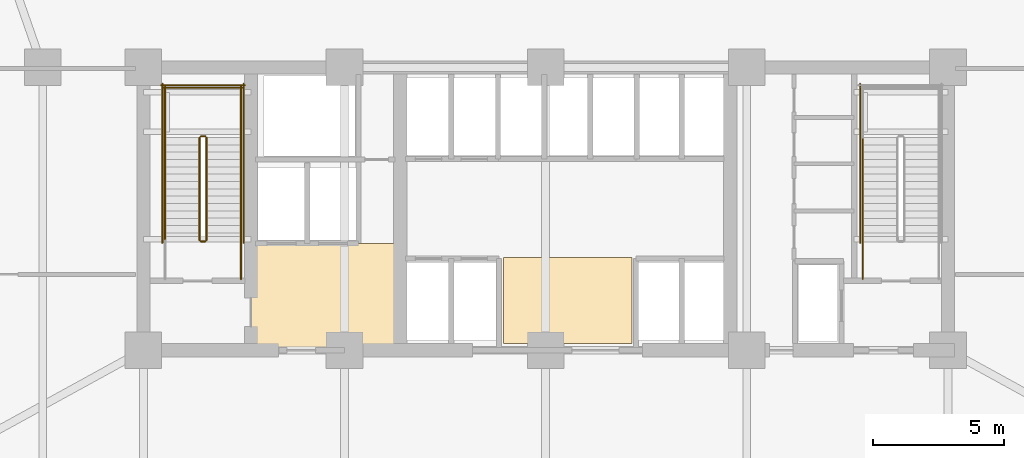
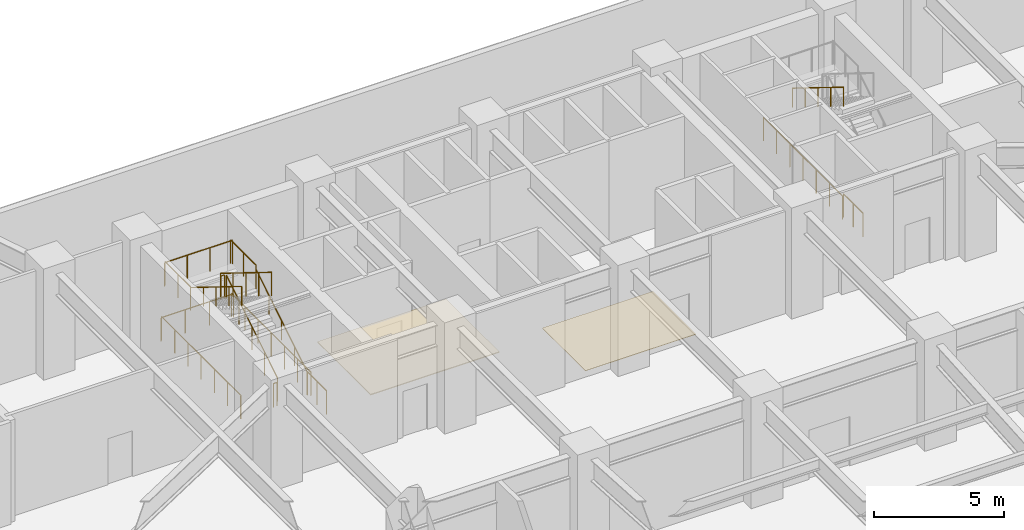
# One storey, part 12 of 15: 16 railings, 2 coverings.
"""IFC4 building model written with IfcOpenShell, lengths in metres."""

import ifcopenshell
import ifcopenshell.guid

model = None  # the IFC model being written
_history = None  # IfcOwnerHistory: only IFC2X3 demands one
_inside = {}  # id of a spatial element -> (the spatial element, [elements in it])
_under = {}  # id of a project, library or spatial element -> (it, [spatial elements below it])
_declared = {}  # id of a project -> (the project, [libraries it declares])
_typed = {}  # id of a type object -> (the type object, [elements of that type])
_made_of = {}  # id of a material, layer set ... -> (it, [elements and type objects made of it])


def new_model(schema):
    """Start an empty IFC model of exactly this schema.

    Asked for "IFC4X3", IfcOpenShell would pick the latest addendum, in which some entities
    have other attributes; the version numbers below select the first issue.
    IFC2X3 requires an IfcOwnerHistory on every rooted entity: one is made here for all.
    """
    global model, _history
    if schema == "IFC4X3":
        model = ifcopenshell.file(schema_version=(4, 3, 0, 0))
    else:
        model = ifcopenshell.file(schema=schema)
    _inside.clear()
    _under.clear()
    _declared.clear()
    _typed.clear()
    _made_of.clear()
    _history = None
    if model.schema == "IFC2X3":
        org = make("IfcOrganization", Name="unknown")
        user = make(
            "IfcPersonAndOrganization",
            ThePerson=make("IfcPerson", FamilyName="unknown"),
            TheOrganization=org,
        )
        app = make(
            "IfcApplication",
            ApplicationDeveloper=org,
            Version="unknown",
            ApplicationFullName="unknown",
            ApplicationIdentifier="unknown",
        )
        _history = make(
            "IfcOwnerHistory",
            OwningUser=user,
            OwningApplication=app,
            ChangeAction="ADDED",
            CreationDate=0,
        )
    return model


def make(cls, **values):
    """One entity of the class cls with the attributes given. An attribute that is None is left unset."""
    return model.create_entity(
        cls, **{name: value for name, value in values.items() if value is not None}
    )


def rooted(cls, **values):
    """An entity with a GlobalId (a new one), such as an element, a storey or a relation."""
    return make(cls, GlobalId=ifcopenshell.guid.new(), OwnerHistory=_history, **values)


def si_unit(unit_type, name, prefix=None):
    """IfcSIUnit, for example si_unit("LENGTHUNIT", "METRE", prefix="MILLI")."""
    return make("IfcSIUnit", UnitType=unit_type, Prefix=prefix, Name=name)


def assignment(units):
    """IfcUnitAssignment: the units of a project."""
    return None if units is None else make("IfcUnitAssignment", Units=units)


def point(xyz):
    """IfcCartesianPoint."""
    return None if xyz is None else make("IfcCartesianPoint", Coordinates=xyz)


def direction(xyz):
    """IfcDirection."""
    return None if xyz is None else make("IfcDirection", DirectionRatios=xyz)


def frame(location, z_axis=None, x_axis=None):
    """IfcAxis2Placement3D, a coordinate frame: its origin and axes. An axis left out is left unset."""
    return make(
        "IfcAxis2Placement3D",
        Location=point(location),
        Axis=direction(z_axis),
        RefDirection=direction(x_axis),
    )


def frame_2d(location, x_axis=None):
    """IfcAxis2Placement2D, a coordinate frame in the plane: its origin and x axis."""
    return make(
        "IfcAxis2Placement2D", Location=point(location), RefDirection=direction(x_axis)
    )


def origin():
    """The frame at (0, 0, 0) with its axes left unset."""
    return frame((0.0, 0.0, 0.0))


def origin_2d():
    """The frame at (0, 0) in the plane with its x axis left unset."""
    return frame_2d((0.0, 0.0))


def place(relative_to, where):
    """IfcLocalPlacement: puts the frame where relative to a parent placement (None: the world)."""
    return make(
        "IfcLocalPlacement", PlacementRelTo=relative_to, RelativePlacement=where
    )


def context(
    kind, dimensions, precision=None, world=None, true_north=None, identifier=None
):
    """IfcGeometricRepresentationContext, for example the 3D "Model" context."""
    return make(
        "IfcGeometricRepresentationContext",
        ContextIdentifier=identifier,
        ContextType=kind,
        CoordinateSpaceDimension=dimensions,
        Precision=precision,
        WorldCoordinateSystem=world,
        TrueNorth=true_north,
    )


def subcontext(parent, identifier, kind, view, scale=None):
    """IfcGeometricRepresentationSubContext, for example "Body" below "Model"."""
    return make(
        "IfcGeometricRepresentationSubContext",
        ContextIdentifier=identifier,
        ContextType=kind,
        ParentContext=parent,
        TargetScale=scale,
        TargetView=view,
    )


def project(units=None, contexts=None):
    """IfcProject with its units and contexts."""
    return rooted(
        "IfcProject",
        Name="project",
        RepresentationContexts=contexts,
        UnitsInContext=assignment(units),
    )


def spatial(cls, under=None, at=None, **own):
    """A site, building, storey or space (cls), placed at a placement, below another one or the project."""
    s = rooted(cls, ObjectPlacement=at, **own)
    if under is not None:
        _under.setdefault(under.id(), (under, []))[1].append(s)
    return s


def polyline(points):
    """IfcPolyline through the points."""
    return make("IfcPolyline", Points=[point(p) for p in points])


def profile(cls, at=None, kind="AREA", **sizes):
    """A parametric profile (cls). Its sizes go by their IFC names, for example OverallWidth=200.0."""
    return make(cls, ProfileType=kind, Position=at, **sizes)


def circle(**sizes):
    """IfcCircleProfileDef."""
    return profile("IfcCircleProfileDef", **sizes)


def outline(outer, holes=None, kind="AREA"):
    """IfcArbitraryClosedProfileDef: a profile drawn as a closed curve; with holes, ...WithVoids."""
    if holes is None:
        return make("IfcArbitraryClosedProfileDef", ProfileType=kind, OuterCurve=outer)
    return make(
        "IfcArbitraryProfileDefWithVoids",
        ProfileType=kind,
        OuterCurve=outer,
        InnerCurves=holes,
    )


def extrude(swept, where, along, depth):
    """IfcExtrudedAreaSolid: the profile swept, set in the frame where, extruded along a direction by depth."""
    return make(
        "IfcExtrudedAreaSolid",
        SweptArea=swept,
        Position=where,
        ExtrudedDirection=direction(along),
        Depth=depth,
    )


def shape(context_of_items, identifier, shape_type, items):
    """IfcShapeRepresentation: the items that make up one representation, for example the "Body"."""
    return make(
        "IfcShapeRepresentation",
        ContextOfItems=context_of_items,
        RepresentationIdentifier=identifier,
        RepresentationType=shape_type,
        Items=items,
    )


def material(Name=None, Category=None):
    """IfcMaterial."""
    return make("IfcMaterial", Name=Name, Category=Category)


def layer(
    of_material, thickness, ventilated=None, Name=None, Category=None, Priority=None
):
    """IfcMaterialLayer: one layer of a wall or slab, of a material (None: an air gap)."""
    return make(
        "IfcMaterialLayer",
        Material=of_material,
        LayerThickness=thickness,
        IsVentilated=ventilated,
        Name=Name,
        Category=Category,
        Priority=Priority,
    )


def layer_set(layers, Name=None):
    """IfcMaterialLayerSet."""
    return make("IfcMaterialLayerSet", MaterialLayers=layers, LayerSetName=Name)


def made_of(thing, what):
    """Note that an element or type object is made of a material, layer set ...; save() writes the relation."""
    if what is not None:
        _made_of.setdefault(what.id(), (what, []))[1].append(thing)
    return thing


def type_object(cls, material=None, **own):
    """A type object (cls), such as IfcWallType, which elements share."""
    return made_of(rooted(cls, **own), material)


def element(
    cls,
    number,
    at=None,
    inside=None,
    cuts=None,
    type_object=None,
    material=None,
    context=None,
    identifier="Body",
    shape_type=None,
    held_by="IfcProductDefinitionShape",
    body=None,
    shapes=None,
    **own,
):
    """One element of the class cls, such as IfcWall. Its Tag is "e" and its number.

    at: its placement. inside: the storey or other place that contains it. cuts: it is an
    opening in that element (IfcRelVoidsElement). A single representation is given by context,
    identifier, shape_type and body (its items); several are given by shapes. held_by: the class
    of the entity that holds the representations. save() writes the other relations.
    """
    e = rooted(cls, Tag="e%d" % number, ObjectPlacement=at, **own)
    if body is not None:
        shapes = [shape(context, identifier, shape_type, body)]
    if shapes is not None:
        e.Representation = make(held_by, Representations=shapes)
    if inside is not None:
        _inside.setdefault(inside.id(), (inside, []))[1].append(e)
    if cuts is not None:
        rooted(
            "IfcRelVoidsElement", RelatingBuildingElement=cuts, RelatedOpeningElement=e
        )
    if type_object is not None:
        _typed.setdefault(type_object.id(), (type_object, []))[1].append(e)
    return made_of(e, material)


def aggregate(whole, parts):
    """IfcRelAggregates: a whole, such as a stair, and the parts it consists of."""
    return rooted("IfcRelAggregates", RelatingObject=whole, RelatedObjects=parts)


def save(model, path):
    """Write the relations noted so far, then the file.

    IfcRelAggregates (storeys below a building ...), IfcRelContainedInSpatialStructure (elements
    in a storey), IfcRelDefinesByType, IfcRelAssociatesMaterial and IfcRelDeclares: one each for
    every whole, place, type object, material and project.
    """
    for whole, parts in _under.values():
        aggregate(whole, parts)
    for where, things in _inside.values():
        rooted(
            "IfcRelContainedInSpatialStructure",
            RelatedElements=things,
            RelatingStructure=where,
        )
    for kind, things in _typed.values():
        rooted("IfcRelDefinesByType", RelatedObjects=things, RelatingType=kind)
    for what, things in _made_of.values():
        rooted("IfcRelAssociatesMaterial", RelatedObjects=things, RelatingMaterial=what)
    for by, libraries in _declared.values():
        rooted("IfcRelDeclares", RelatingContext=by, RelatedDefinitions=libraries)
    model.write(path)


model = new_model("IFC4")

# Units and contexts
model_context = context("Model", 3, precision=1e-05, world=origin(), true_north=direction((0.0, 1.0)))
body_context = subcontext(model_context, "Body", "Model", "MODEL_VIEW")
ifc_project = project(units=[si_unit("LENGTHUNIT", "METRE"), si_unit("AREAUNIT", "SQUARE_METRE"), si_unit("VOLUMEUNIT", "CUBIC_METRE"), si_unit("PLANEANGLEUNIT", "RADIAN"), si_unit("MASSUNIT", "GRAM", prefix="KILO")], contexts=[model_context])

# Site, building, storey
site_placement = place(None, origin())
site = spatial("IfcSite", under=ifc_project, at=site_placement, CompositionType="ELEMENT")
building_placement = place(site_placement, origin())
building = spatial("IfcBuilding", under=site, at=building_placement, Name="Yelkora Congress Tower", CompositionType="ELEMENT")
storey_placement = place(building_placement, frame((0.0, 0.0, 25.199951171875)))
storey = spatial("IfcBuildingStorey", under=building, at=storey_placement, Name="L05", CompositionType="ELEMENT", Elevation=25.199951171875)

# Coverings
ifc_material_1 = material(Name="Perforated mineral-fibre acoustic ceiling", Category="gypsum")
ifc_layer_1 = layer(ifc_material_1, 0.0400390625)
ifc_layer_set_1 = layer_set([ifc_layer_1], Name="Perforated mineral-fibre acoustic ceiling")
covering_type_1 = type_object("IfcCoveringType", Name="COV-CEIL-ACOUSTIC-40", PredefinedType="CEILING", material=ifc_layer_set_1)
covering_1_placement = place(storey_placement, frame((0.0, 0.0, 2.400146484375)))
element("IfcCovering", 1, at=covering_1_placement, inside=storey, type_object=covering_type_1, Name="L05 Firefighting Lobby Acoustic Ceiling", PredefinedType="CEILING", context=body_context, shape_type="SweptSolid", body=[
    extrude(outline(polyline([(27.14990234375, 35.39990234375), (32.85009765625, 35.39990234375), (32.85009765625, 39.47998046875), (27.14990234375, 39.47998046875), (27.14990234375, 35.39990234375)])), origin(), (0.0, 0.0, 1.0), 0.039794921875),
])
ifc_material_2 = material(Name="Polished Anatolian grey granite tile", Category="masonry")
ifc_layer_2 = layer(ifc_material_2, 0.02001953125)
ifc_layer_set_2 = layer_set([ifc_layer_2], Name="Polished Anatolian grey granite tile")
covering_type_2 = type_object("IfcCoveringType", Name="COV-FLOOR-GRANITE-20", PredefinedType="FLOORING", material=ifc_layer_set_2)
covering_2_placement = place(storey_placement, origin())
element("IfcCovering", 2, at=covering_2_placement, inside=storey, type_object=covering_type_2, Name="L05 Lift Lobby Granite Flooring", PredefinedType="FLOORING", context=body_context, shape_type="SweptSolid", body=[
    extrude(outline(polyline([(36.800048828125, 35.64990234375), (41.699951171875, 35.64990234375), (41.699951171875, 38.949951171875), (36.800048828125, 38.949951171875), (36.800048828125, 35.64990234375)])), origin(), (0.0, 0.0, 1.0), 0.02001953125),
])

# Railings
ifc_material_3 = material(Name="Painted galvanised steel stair well guard with vertical infill", Category="steel")
ifc_layer_3 = layer(ifc_material_3, 0.06005859375)
ifc_layer_set_3 = layer_set([ifc_layer_3], Name="Painted galvanised steel stair well guard with vertical infill")
railing_type_1 = type_object("IfcRailingType", Name="RAIL-STAIR-GUARD-1120", PredefinedType="GUARDRAIL", material=ifc_layer_set_3)
railing_1_placement = place(storey_placement, frame((25.449951171875, 39.60009765625, 0.17333984375)))
element("IfcRailing", 3, at=railing_1_placement, inside=storey, type_object=railing_type_1, Name="ST-01 L05 Stair Well Guardrail 1", PredefinedType="GUARDRAIL", context=body_context, shape_type="SweptSolid", body=[
    extrude(circle(Radius=0.02392578125, at=origin_2d()), frame((0.0, 0.0, 1.09619140625), z_axis=(0.0, 0.850251603719, 0.526376491091), x_axis=(-1.0, 0.0, 0.0)), (0.0, 0.0, 1.0), 4.6103515625),
    extrude(circle(Radius=0.02099609375, at=origin_2d()), origin(), (0.0, 0.0, 1.0), 1.072021484375),
    extrude(circle(Radius=0.02099609375, at=origin_2d()), frame((0.0, 0.97998046875, 0.606689453125)), (0.0, 0.0, 1.0), 1.072021484375),
    extrude(circle(Radius=0.02099609375, at=origin_2d()), frame((0.0, 1.9599609375, 1.21337890625)), (0.0, 0.0, 1.0), 1.072021484375),
    extrude(circle(Radius=0.02099609375, at=origin_2d()), frame((0.0, 2.93994140625, 1.820068359375)), (0.0, 0.0, 1.0), 1.072021484375),
    extrude(circle(Radius=0.02099609375, at=origin_2d()), frame((0.0, 3.919921875, 2.4267578125)), (0.0, 0.0, 1.0), 1.072021484375),
])
railing_2_placement = place(storey_placement, frame((25.39990234375, 43.570068359375, 2.60009765625)))
element("IfcRailing", 4, at=railing_2_placement, inside=storey, type_object=railing_type_1, Name="ST-01 L05 Stair Well Guardrail 2", PredefinedType="GUARDRAIL", context=body_context, shape_type="SweptSolid", body=[
    extrude(circle(Radius=0.02392578125, at=origin_2d()), frame((0.0, 0.0, 1.09619140625), z_axis=(-1.0, 0.0, 0.0), x_axis=(0.0, -1.0, 0.0)), (0.0, 0.0, 1.0), 0.159912109375),
    extrude(circle(Radius=0.02099609375, at=origin_2d()), origin(), (0.0, 0.0, 1.0), 1.072021484375),
    extrude(circle(Radius=0.02099609375, at=origin_2d()), frame((-0.159912109375, 0.0, 0.0)), (0.0, 0.0, 1.0), 1.072021484375),
])
for number, where, name in (
    (5, (26.77001953125, 43.52001953125, 2.60009765625), "ST-01 L05 Stair Well Guardrail 3"),
    (6, (23.8701171875, 43.52001953125, 2.60009765625), "ST-01 L05 Stair Well Guardrail 4"),
):
    element("IfcRailing", number, at=place(storey_placement, frame(where)), inside=storey, type_object=railing_type_1, Name=name, PredefinedType="GUARDRAIL", context=body_context, shape_type="SweptSolid", body=[
        extrude(circle(Radius=0.02392578125, at=origin_2d()), frame((0.0, 0.0, 1.09619140625), z_axis=(0.0, 1.0, 0.0), x_axis=(-1.0, 0.0, 0.0)), (0.0, 0.0, 1.0), 1.949951171875),
        extrude(circle(Radius=0.02099609375, at=origin_2d()), origin(), (0.0, 0.0, 1.0), 1.072021484375),
        extrude(circle(Radius=0.02099609375, at=origin_2d()), frame((0.0, 0.97509765625, 0.0)), (0.0, 0.0, 1.0), 1.072021484375),
        extrude(circle(Radius=0.02099609375, at=origin_2d()), frame((0.0, 1.949951171875, 0.0)), (0.0, 0.0, 1.0), 1.072021484375),
    ])
railing_3_placement = place(storey_placement, frame((26.820068359375, 45.419921875, 2.60009765625)))
element("IfcRailing", 7, at=railing_3_placement, inside=storey, type_object=railing_type_1, Name="ST-01 L05 Stair Well Guardrail 5", PredefinedType="GUARDRAIL", context=body_context, shape_type="SweptSolid", body=[
    extrude(circle(Radius=0.02392578125, at=origin_2d()), frame((0.0, 0.0, 1.09619140625), z_axis=(-1.0, 0.0, 0.0), x_axis=(0.0, -1.0, 0.0)), (0.0, 0.0, 1.0), 3.0),
    extrude(circle(Radius=0.02099609375, at=origin_2d()), origin(), (0.0, 0.0, 1.0), 1.072021484375),
    extrude(circle(Radius=0.02099609375, at=origin_2d()), frame((-1.0, 0.0, 0.0)), (0.0, 0.0, 1.0), 1.072021484375),
    extrude(circle(Radius=0.02099609375, at=origin_2d()), frame((-2.0, 0.0, 0.0)), (0.0, 0.0, 1.0), 1.072021484375),
    extrude(circle(Radius=0.02099609375, at=origin_2d()), frame((-3.0, 0.0, 0.0)), (0.0, 0.0, 1.0), 1.072021484375),
])
railing_4_placement = place(storey_placement, frame((25.18994140625, 43.52001953125, 2.7734375)))
element("IfcRailing", 8, at=railing_4_placement, inside=storey, type_object=railing_type_1, Name="ST-01 L05 Stair Well Guardrail 6", PredefinedType="GUARDRAIL", context=body_context, shape_type="SweptSolid", body=[
    extrude(circle(Radius=0.02392578125, at=origin_2d()), frame((0.0, 0.0, 1.09619140625), z_axis=(0.0, -0.850275303828, 0.526338206574), x_axis=(1.0, 0.0, 0.0)), (0.0, 0.0, 1.0), 4.610107421875),
    extrude(circle(Radius=0.02099609375, at=origin_2d()), origin(), (0.0, 0.0, 1.0), 1.072021484375),
    extrude(circle(Radius=0.02099609375, at=origin_2d()), frame((0.0, -0.97998046875, 0.606689453125)), (0.0, 0.0, 1.0), 1.072021484375),
    extrude(circle(Radius=0.02099609375, at=origin_2d()), frame((0.0, -1.9599609375, 1.21337890625)), (0.0, 0.0, 1.0), 1.072021484375),
    extrude(circle(Radius=0.02099609375, at=origin_2d()), frame((0.0, -2.93994140625, 1.81982421875)), (0.0, 0.0, 1.0), 1.072021484375),
    extrude(circle(Radius=0.02099609375, at=origin_2d()), frame((0.0, -3.919921875, 2.426513671875)), (0.0, 0.0, 1.0), 1.072021484375),
])
railing_5_placement = place(storey_placement, frame((25.39990234375, 39.550048828125, 0.0)))
element("IfcRailing", 9, at=railing_5_placement, inside=storey, type_object=railing_type_1, Name="ST-01 L05 Stair Well Guardrail 7", PredefinedType="GUARDRAIL", context=body_context, shape_type="SweptSolid", body=[
    extrude(circle(Radius=0.02392578125, at=origin_2d()), frame((0.0, 0.0, 1.09619140625), z_axis=(-1.0, 0.0, 0.0), x_axis=(0.0, -1.0, 0.0)), (0.0, 0.0, 1.0), 0.159912109375),
    extrude(circle(Radius=0.02099609375, at=origin_2d()), origin(), (0.0, 0.0, 1.0), 1.072021484375),
    extrude(circle(Radius=0.02099609375, at=origin_2d()), frame((-0.159912109375, 0.0, 0.0)), (0.0, 0.0, 1.0), 1.072021484375),
])
railing_6_placement = place(storey_placement, frame((26.77001953125, 38.1201171875, 0.0)))
element("IfcRailing", 10, at=railing_6_placement, inside=storey, type_object=railing_type_1, Name="ST-01 L05 Stair Well Guardrail 8", PredefinedType="GUARDRAIL", context=body_context, shape_type="SweptSolid", body=[
    extrude(circle(Radius=0.02392578125, at=origin_2d()), frame((0.0, 0.0, 1.09619140625), z_axis=(0.0, 1.0, 0.0), x_axis=(-1.0, 0.0, 0.0)), (0.0, 0.0, 1.0), 1.47998046875),
    extrude(circle(Radius=0.02099609375, at=origin_2d()), origin(), (0.0, 0.0, 1.0), 1.072021484375),
    extrude(circle(Radius=0.02099609375, at=origin_2d()), frame((0.0, 0.739990234375, 0.0)), (0.0, 0.0, 1.0), 1.072021484375),
    extrude(circle(Radius=0.02099609375, at=origin_2d()), frame((0.0, 1.47998046875, 0.0)), (0.0, 0.0, 1.0), 1.072021484375),
])
for number, where, name in (
    (11, (26.8701171875, 39.5, 0.0), "ST-01 L05 Stair Well Guardrail 10"),
    (12, (23.77001953125, 39.5, 0.0), "ST-01 L05 Stair Well Guardrail 11"),
):
    element("IfcRailing", number, at=place(storey_placement, frame(where)), inside=storey, type_object=railing_type_1, Name=name, PredefinedType="GUARDRAIL", context=body_context, shape_type="SweptSolid", body=[
        extrude(circle(Radius=0.02392578125, at=origin_2d()), frame((0.0, 0.0, 1.09619140625), z_axis=(0.0, 1.0, 0.0), x_axis=(-1.0, 0.0, 0.0)), (0.0, 0.0, 1.0), 6.070068359375),
        extrude(circle(Radius=0.02099609375, at=origin_2d()), origin(), (0.0, 0.0, 1.0), 1.072021484375),
        extrude(circle(Radius=0.02099609375, at=origin_2d()), frame((0.0, 1.01171875, 0.0)), (0.0, 0.0, 1.0), 1.072021484375),
        extrude(circle(Radius=0.02099609375, at=origin_2d()), frame((0.0, 2.0234375, 0.0)), (0.0, 0.0, 1.0), 1.072021484375),
        extrude(circle(Radius=0.02099609375, at=origin_2d()), frame((0.0, 3.03515625, 0.0)), (0.0, 0.0, 1.0), 1.072021484375),
        extrude(circle(Radius=0.02099609375, at=origin_2d()), frame((0.0, 4.046630859375, 0.0)), (0.0, 0.0, 1.0), 1.072021484375),
        extrude(circle(Radius=0.02099609375, at=origin_2d()), frame((0.0, 5.058349609375, 0.0)), (0.0, 0.0, 1.0), 1.072021484375),
        extrude(circle(Radius=0.02099609375, at=origin_2d()), frame((0.0, 6.070068359375, 0.0)), (0.0, 0.0, 1.0), 1.072021484375),
    ])
railing_7_placement = place(storey_placement, frame((26.919921875, 45.52001953125, 0.0)))
element("IfcRailing", 13, at=railing_7_placement, inside=storey, type_object=railing_type_1, Name="ST-01 L05 Stair Well Guardrail 12", PredefinedType="GUARDRAIL", context=body_context, shape_type="SweptSolid", body=[
    extrude(circle(Radius=0.02392578125, at=origin_2d()), frame((0.0, 0.0, 1.09619140625), z_axis=(-1.0, 0.0, 0.0), x_axis=(0.0, -1.0, 0.0)), (0.0, 0.0, 1.0), 3.199951171875),
    extrude(circle(Radius=0.02099609375, at=origin_2d()), origin(), (0.0, 0.0, 1.0), 1.072021484375),
    extrude(circle(Radius=0.02099609375, at=origin_2d()), frame((-1.066650390625, 0.0, 0.0)), (0.0, 0.0, 1.0), 1.072021484375),
    extrude(circle(Radius=0.02099609375, at=origin_2d()), frame((-2.13330078125, 0.0, 0.0)), (0.0, 0.0, 1.0), 1.072021484375),
    extrude(circle(Radius=0.02099609375, at=origin_2d()), frame((-3.199951171875, 0.0, 0.0)), (0.0, 0.0, 1.0), 1.072021484375),
])
railing_8_placement = place(storey_placement, frame((50.510009765625, 38.1201171875, 0.0)))
element("IfcRailing", 14, at=railing_8_placement, inside=storey, type_object=railing_type_1, Name="ST-02 L05 Stair Well Guardrail 9", PredefinedType="GUARDRAIL", context=body_context, shape_type="SweptSolid", body=[
    extrude(circle(Radius=0.02392578125, at=origin_2d()), frame((0.0, 0.0, 1.09619140625), z_axis=(0.0, 1.0, 0.0), x_axis=(-1.0, 0.0, 0.0)), (0.0, 0.0, 1.0), 1.47998046875),
    extrude(circle(Radius=0.02099609375, at=origin_2d()), origin(), (0.0, 0.0, 1.0), 1.072021484375),
    extrude(circle(Radius=0.02099609375, at=origin_2d()), frame((0.0, 0.739990234375, 0.0)), (0.0, 0.0, 1.0), 1.072021484375),
    extrude(circle(Radius=0.02099609375, at=origin_2d()), frame((0.0, 1.47998046875, 0.0)), (0.0, 0.0, 1.0), 1.072021484375),
])
railing_9_placement = place(storey_placement, frame((50.409912109375, 39.5, 0.0)))
element("IfcRailing", 15, at=railing_9_placement, inside=storey, type_object=railing_type_1, Name="ST-02 L05 Stair Well Guardrail 11", PredefinedType="GUARDRAIL", context=body_context, shape_type="SweptSolid", body=[
    extrude(circle(Radius=0.02392578125, at=origin_2d()), frame((0.0, 0.0, 1.09619140625), z_axis=(0.0, 1.0, 0.0), x_axis=(-1.0, 0.0, 0.0)), (0.0, 0.0, 1.0), 6.070068359375),
    extrude(circle(Radius=0.02099609375, at=origin_2d()), origin(), (0.0, 0.0, 1.0), 1.072021484375),
    extrude(circle(Radius=0.02099609375, at=origin_2d()), frame((0.0, 1.01171875, 0.0)), (0.0, 0.0, 1.0), 1.072021484375),
    extrude(circle(Radius=0.02099609375, at=origin_2d()), frame((0.0, 2.0234375, 0.0)), (0.0, 0.0, 1.0), 1.072021484375),
    extrude(circle(Radius=0.02099609375, at=origin_2d()), frame((0.0, 3.03515625, 0.0)), (0.0, 0.0, 1.0), 1.072021484375),
    extrude(circle(Radius=0.02099609375, at=origin_2d()), frame((0.0, 4.046630859375, 0.0)), (0.0, 0.0, 1.0), 1.072021484375),
    extrude(circle(Radius=0.02099609375, at=origin_2d()), frame((0.0, 5.058349609375, 0.0)), (0.0, 0.0, 1.0), 1.072021484375),
    extrude(circle(Radius=0.02099609375, at=origin_2d()), frame((0.0, 6.070068359375, 0.0)), (0.0, 0.0, 1.0), 1.072021484375),
])
ifc_material_4 = material(Name="Brushed stainless steel tubular handrail", Category="steel")
ifc_layer_4 = layer(ifc_material_4, 0.050048828125)
ifc_layer_set_4 = layer_set([ifc_layer_4], Name="Brushed stainless steel tubular handrail")
railing_type_2 = type_object("IfcRailingType", Name="RAIL-STAIR-HAND-920", PredefinedType="HANDRAIL", material=ifc_layer_set_4)
railing_10_placement = place(storey_placement, frame((26.77001953125, 39.60009765625, 0.17333984375)))
element("IfcRailing", 16, at=railing_10_placement, inside=storey, type_object=railing_type_2, Name="ST-01 L05 Pitch Handrail 1", PredefinedType="HANDRAIL", context=body_context, shape_type="SweptSolid", body=[
    extrude(circle(Radius=0.02392578125, at=origin_2d()), frame((0.0, 0.0, 0.89599609375), z_axis=(0.0, 0.850251603719, 0.526376491091), x_axis=(-1.0, 0.0, 0.0)), (0.0, 0.0, 1.0), 4.6103515625),
    extrude(circle(Radius=0.02099609375, at=origin_2d()), origin(), (0.0, 0.0, 1.0), 0.871826171875),
    extrude(circle(Radius=0.02099609375, at=origin_2d()), frame((0.0, 0.97998046875, 0.606689453125)), (0.0, 0.0, 1.0), 0.871826171875),
    extrude(circle(Radius=0.02099609375, at=origin_2d()), frame((0.0, 1.9599609375, 1.21337890625)), (0.0, 0.0, 1.0), 0.871826171875),
    extrude(circle(Radius=0.02099609375, at=origin_2d()), frame((0.0, 2.93994140625, 1.820068359375)), (0.0, 0.0, 1.0), 0.871826171875),
    extrude(circle(Radius=0.02099609375, at=origin_2d()), frame((0.0, 3.919921875, 2.4267578125)), (0.0, 0.0, 1.0), 0.871826171875),
])
for number, where, name in (
    (17, (23.8701171875, 43.52001953125, 2.7734375), "ST-01 L05 Pitch Handrail 2"),
    (18, (50.510009765625, 43.52001953125, 2.7734375), "ST-02 L05 Pitch Handrail 2"),
):
    element("IfcRailing", number, at=place(storey_placement, frame(where)), inside=storey, type_object=railing_type_2, Name=name, PredefinedType="HANDRAIL", context=body_context, shape_type="SweptSolid", body=[
        extrude(circle(Radius=0.02392578125, at=origin_2d()), frame((0.0, 0.0, 0.89599609375), z_axis=(0.0, -0.850275303828, 0.526338206574), x_axis=(1.0, 0.0, 0.0)), (0.0, 0.0, 1.0), 4.610107421875),
        extrude(circle(Radius=0.02099609375, at=origin_2d()), origin(), (0.0, 0.0, 1.0), 0.871826171875),
        extrude(circle(Radius=0.02099609375, at=origin_2d()), frame((0.0, -0.97998046875, 0.606689453125)), (0.0, 0.0, 1.0), 0.871826171875),
        extrude(circle(Radius=0.02099609375, at=origin_2d()), frame((0.0, -1.9599609375, 1.21337890625)), (0.0, 0.0, 1.0), 0.871826171875),
        extrude(circle(Radius=0.02099609375, at=origin_2d()), frame((0.0, -2.93994140625, 1.81982421875)), (0.0, 0.0, 1.0), 0.871826171875),
        extrude(circle(Radius=0.02099609375, at=origin_2d()), frame((0.0, -3.919921875, 2.426513671875)), (0.0, 0.0, 1.0), 0.871826171875),
    ])

save(model, "model.ifc")
